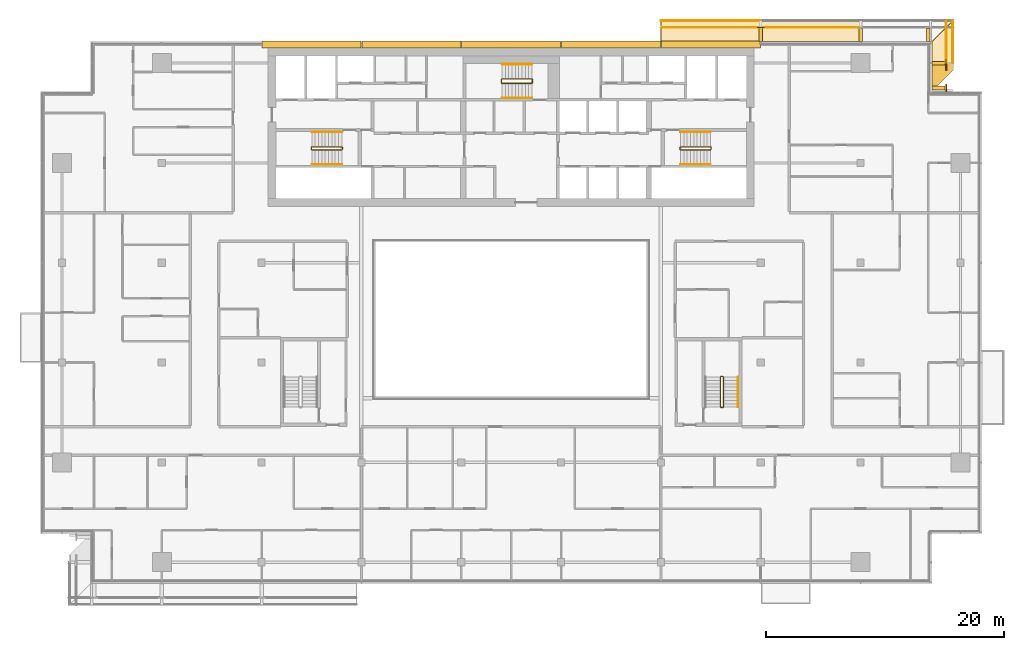
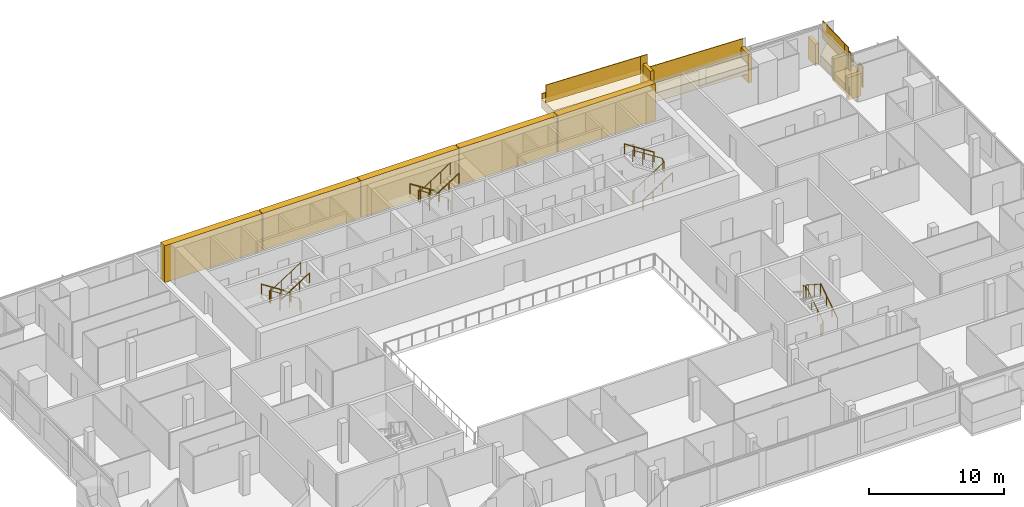
# One storey, part 26 of 29: 18 railings, 16 coverings.
"""IFC4 building model written with IfcOpenShell, lengths in metres."""

from ifc_helpers import new_model, si_unit, direction, frame, origin, origin_2d, place, context, subcontext, project, spatial, polyline, rectangle, circle, outline, extrude, material, layer, layer_set, type_object, element, save


model = new_model("IFC4")

# Units and contexts
model_context = context("Model", 3, precision=1e-05, world=origin(), true_north=direction((0.0, 1.0)))
body_context = subcontext(model_context, "Body", "Model", "MODEL_VIEW")
ifc_project = project(units=[si_unit("LENGTHUNIT", "METRE"), si_unit("AREAUNIT", "SQUARE_METRE"), si_unit("VOLUMEUNIT", "CUBIC_METRE"), si_unit("PLANEANGLEUNIT", "RADIAN"), si_unit("MASSUNIT", "GRAM", prefix="KILO")], contexts=[model_context])

# Site, building, storey
site_placement = place(None, origin())
site = spatial("IfcSite", under=ifc_project, at=site_placement, CompositionType="ELEMENT")
building_placement = place(site_placement, origin())
building = spatial("IfcBuilding", under=site, at=building_placement, Name="Saffron Gate Tower", CompositionType="ELEMENT")
storey_placement = place(building_placement, frame((0.0, 0.0, 227.10009765625)))
storey = spatial("IfcBuildingStorey", under=building, at=storey_placement, Name="L55", CompositionType="ELEMENT", Elevation=227.10009765625)

# Coverings
ifc_material_1 = material(Name="Ceramic-printed bronze insulated panel")
ifc_layer_1 = layer(ifc_material_1, 0.590087890625)
ifc_layer_set_1 = layer_set([ifc_layer_1], Name="CLD4 ceramic-printed cladding panel 590")
covering_type_1 = type_object("IfcCoveringType", Name="CLD4 ceramic-printed cladding panel 590", PredefinedType="CLADDING", material=ifc_layer_set_1)
covering_1_placement = place(storey_placement, origin())
element("IfcCovering", 1, at=covering_1_placement, inside=storey, type_object=covering_type_1, Name="CLADDING ceramic-printed panel", PredefinedType="CLADDING", context=body_context, shape_type="SweptSolid", body=[
    extrude(outline(polyline([(108.56494140625, 75.639892578125), (100.235107421875, 75.639892578125), (100.235107421875, 75.050048828125), (108.56494140625, 75.050048828125), (108.56494140625, 75.639892578125)])), origin(), (0.0, 0.0, 1.0), 3.31982421875),
])
covering_2_placement = place(storey_placement, origin())
element("IfcCovering", 2, at=covering_2_placement, inside=storey, type_object=covering_type_1, Name="CLADDING ceramic-printed panel", PredefinedType="CLADDING", context=body_context, shape_type="SweptSolid", body=[
    extrude(outline(polyline([(100.1650390625, 75.639892578125), (91.8349609375, 75.639892578125), (91.8349609375, 75.050048828125), (100.1650390625, 75.050048828125), (100.1650390625, 75.639892578125)])), origin(), (0.0, 0.0, 1.0), 3.31982421875),
])
covering_3_placement = place(storey_placement, origin())
element("IfcCovering", 3, at=covering_3_placement, inside=storey, type_object=covering_type_1, Name="CLADDING ceramic-printed panel", PredefinedType="CLADDING", context=body_context, shape_type="SweptSolid", body=[
    extrude(outline(polyline([(91.764892578125, 75.639892578125), (83.43505859375, 75.639892578125), (83.43505859375, 75.050048828125), (91.764892578125, 75.050048828125), (91.764892578125, 75.639892578125)])), origin(), (0.0, 0.0, 1.0), 3.31982421875),
])
covering_4_placement = place(storey_placement, origin())
element("IfcCovering", 4, at=covering_4_placement, inside=storey, type_object=covering_type_1, Name="CLADDING ceramic-printed panel", PredefinedType="CLADDING", context=body_context, shape_type="SweptSolid", body=[
    extrude(outline(polyline([(83.364990234375, 75.639892578125), (75.034912109375, 75.639892578125), (75.034912109375, 75.050048828125), (83.364990234375, 75.050048828125), (83.364990234375, 75.639892578125)])), origin(), (0.0, 0.0, 1.0), 3.31982421875),
])
covering_5_placement = place(storey_placement, origin())
element("IfcCovering", 5, at=covering_5_placement, inside=storey, type_object=covering_type_1, Name="CLADDING ceramic-printed panel", PredefinedType="CLADDING", context=body_context, shape_type="SweptSolid", body=[
    extrude(outline(polyline([(74.965087890625, 75.639892578125), (66.635009765625, 75.639892578125), (66.635009765625, 75.050048828125), (74.965087890625, 75.050048828125), (74.965087890625, 75.639892578125)])), origin(), (0.0, 0.0, 1.0), 3.31982421875),
])

# Railings
ifc_material_2 = material(Name="Stainless steel and laminated glass", Category="steel")
railing_type_1 = type_object("IfcRailingType", Name="CR1 Stair guard 1100", PredefinedType="GUARDRAIL", material=ifc_material_2)
railing_1_placement = place(storey_placement, frame((73.39990234375, 66.550048828125, 0.0)))
element("IfcRailing", 6, at=railing_1_placement, inside=storey, type_object=railing_type_1, Name="L55 ST-A stair guard 1", PredefinedType="GUARDRAIL", context=body_context, shape_type="SweptSolid", body=[
    extrude(circle(Radius=0.02392578125, at=origin_2d()), frame((0.0, 0.0, 1.076171875), z_axis=(0.0, 1.0, 0.0), x_axis=(-1.0, 0.0, 0.0)), (0.0, 0.0, 1.0), 0.14990234375),
    extrude(circle(Radius=0.02392578125, at=origin_2d()), frame((0.0, 0.14990234375, 1.076171875), z_axis=(-0.257669022063, 0.258932105505, 0.930892496375), x_axis=(-0.708833529934, -0.705375805398, 0.0)), (0.0, 0.0, 1.0), 0.193359375),
    extrude(circle(Radius=0.02392578125, at=origin_2d()), frame((-0.0498046875, 0.199951171875, 1.255859375), z_axis=(-0.841199657755, 0.0, 0.540724639528), x_axis=(0.0, -1.0, 0.0)), (0.0, 0.0, 1.0), 2.995849609375),
    extrude(circle(Radius=0.02392578125, at=origin_2d()), frame((-2.56982421875, 0.199951171875, 2.8759765625), z_axis=(-0.707106781187, -0.707106781187, 0.0), x_axis=(0.707106781187, -0.707106781187, 0.0)), (0.0, 0.0, 1.0), 0.07080078125),
    extrude(circle(Radius=0.02392578125, at=origin_2d()), frame((-2.619873046875, 0.14990234375, 2.8759765625), z_axis=(0.0, -1.0, 0.0), x_axis=(1.0, 0.0, 0.0)), (0.0, 0.0, 1.0), 0.14990234375),
    extrude(circle(Radius=0.02392578125, at=origin_2d()), frame((-2.619873046875, 0.0, 2.8759765625), z_axis=(0.258543844998, -0.258543844998, 0.930757841991), x_axis=(0.707106781187, 0.707106781187, 0.0)), (0.0, 0.0, 1.0), 0.193603515625),
    extrude(circle(Radius=0.02392578125, at=origin_2d()), frame((-2.56982421875, -0.050048828125, 3.05615234375), z_axis=(0.841199657755, 0.0, 0.540724639528), x_axis=(0.0, 1.0, 0.0)), (0.0, 0.0, 1.0), 2.995849609375),
    extrude(circle(Radius=0.02099609375, at=origin_2d()), origin(), (0.0, 0.0, 1.0), 1.052001953125),
    extrude(circle(Radius=0.02099609375, at=origin_2d()), frame((0.0, 0.14990234375, 0.0)), (0.0, 0.0, 1.0), 1.052001953125),
    extrude(circle(Radius=0.02099609375, at=origin_2d()), frame((-0.0498046875, 0.199951171875, 0.179931640625)), (0.0, 0.0, 1.0), 1.052001953125),
    extrude(circle(Radius=0.02099609375, at=origin_2d()), frame((-0.889892578125, 0.199951171875, 0.719970703125)), (0.0, 0.0, 1.0), 1.052001953125),
    extrude(circle(Radius=0.02099609375, at=origin_2d()), frame((-1.729736328125, 0.199951171875, 1.259765625)), (0.0, 0.0, 1.0), 1.052001953125),
    extrude(circle(Radius=0.02099609375, at=origin_2d()), frame((-2.56982421875, 0.199951171875, 1.7998046875)), (0.0, 0.0, 1.0), 1.052001953125),
    extrude(circle(Radius=0.02099609375, at=origin_2d()), frame((-2.619873046875, 0.14990234375, 1.7998046875)), (0.0, 0.0, 1.0), 1.052001953125),
    extrude(circle(Radius=0.02099609375, at=origin_2d()), frame((-2.619873046875, 0.0, 1.7998046875)), (0.0, 0.0, 1.0), 1.052001953125),
    extrude(circle(Radius=0.02099609375, at=origin_2d()), frame((-2.56982421875, -0.050048828125, 1.97998046875)), (0.0, 0.0, 1.0), 1.052001953125),
    extrude(circle(Radius=0.02099609375, at=origin_2d()), frame((-1.729736328125, -0.050048828125, 2.52001953125)), (0.0, 0.0, 1.0), 1.052001953125),
    extrude(circle(Radius=0.02099609375, at=origin_2d()), frame((-0.889892578125, -0.050048828125, 3.059814453125)), (0.0, 0.0, 1.0), 1.052001953125),
    extrude(circle(Radius=0.02099609375, at=origin_2d()), frame((-0.0498046875, -0.050048828125, 3.599853515625)), (0.0, 0.0, 1.0), 1.052001953125),
])
railing_2_placement = place(storey_placement, frame((101.800048828125, 66.699951171875, 0.0)))
element("IfcRailing", 7, at=railing_2_placement, inside=storey, type_object=railing_type_1, Name="L55 ST-B stair guard 1", PredefinedType="GUARDRAIL", context=body_context, shape_type="SweptSolid", body=[
    extrude(circle(Radius=0.02392578125, at=origin_2d()), frame((0.0, 0.0, 1.076171875), z_axis=(0.0, -1.0, 0.0), x_axis=(1.0, 0.0, 0.0)), (0.0, 0.0, 1.0), 0.14990234375),
    extrude(circle(Radius=0.02392578125, at=origin_2d()), frame((0.0, -0.14990234375, 1.076171875), z_axis=(0.258847668887, -0.258847668887, 0.930588936439), x_axis=(0.707106781187, 0.707106781187, 0.0)), (0.0, 0.0, 1.0), 0.193359375),
    extrude(circle(Radius=0.02392578125, at=origin_2d()), frame((0.050048828125, -0.199951171875, 1.255859375), z_axis=(0.841199657755, 0.0, 0.540724639528), x_axis=(0.0, 1.0, 0.0)), (0.0, 0.0, 1.0), 2.995849609375),
    extrude(circle(Radius=0.02392578125, at=origin_2d()), frame((2.570068359375, -0.199951171875, 2.8759765625), z_axis=(0.705375805398, 0.708833529934, 0.0), x_axis=(-0.708833529934, 0.705375805398, 0.0)), (0.0, 0.0, 1.0), 0.070556640625),
    extrude(circle(Radius=0.02392578125, at=origin_2d()), frame((2.619873046875, -0.14990234375, 2.8759765625), z_axis=(0.0, 1.0, 0.0), x_axis=(-1.0, 0.0, 0.0)), (0.0, 0.0, 1.0), 0.14990234375),
    extrude(circle(Radius=0.02392578125, at=origin_2d()), frame((2.619873046875, 0.0, 2.8759765625), z_axis=(-0.257366384619, 0.258627984543, 0.931060744355), x_axis=(-0.708833529934, -0.705375805398, 0.0)), (0.0, 0.0, 1.0), 0.193603515625),
    extrude(circle(Radius=0.02392578125, at=origin_2d()), frame((2.570068359375, 0.050048828125, 3.05615234375), z_axis=(-0.841199657755, 0.0, 0.540724639528), x_axis=(0.0, -1.0, 0.0)), (0.0, 0.0, 1.0), 2.995849609375),
    extrude(circle(Radius=0.02099609375, at=origin_2d()), origin(), (0.0, 0.0, 1.0), 1.052001953125),
    extrude(circle(Radius=0.02099609375, at=origin_2d()), frame((0.0, -0.14990234375, 0.0)), (0.0, 0.0, 1.0), 1.052001953125),
    extrude(circle(Radius=0.02099609375, at=origin_2d()), frame((0.050048828125, -0.199951171875, 0.179931640625)), (0.0, 0.0, 1.0), 1.052001953125),
    extrude(circle(Radius=0.02099609375, at=origin_2d()), frame((0.89013671875, -0.199951171875, 0.719970703125)), (0.0, 0.0, 1.0), 1.052001953125),
    extrude(circle(Radius=0.02099609375, at=origin_2d()), frame((1.72998046875, -0.199951171875, 1.259765625)), (0.0, 0.0, 1.0), 1.052001953125),
    extrude(circle(Radius=0.02099609375, at=origin_2d()), frame((2.570068359375, -0.199951171875, 1.7998046875)), (0.0, 0.0, 1.0), 1.052001953125),
    extrude(circle(Radius=0.02099609375, at=origin_2d()), frame((2.619873046875, -0.14990234375, 1.7998046875)), (0.0, 0.0, 1.0), 1.052001953125),
    extrude(circle(Radius=0.02099609375, at=origin_2d()), frame((2.619873046875, 0.0, 1.7998046875)), (0.0, 0.0, 1.0), 1.052001953125),
    extrude(circle(Radius=0.02099609375, at=origin_2d()), frame((2.570068359375, 0.050048828125, 1.97998046875)), (0.0, 0.0, 1.0), 1.052001953125),
    extrude(circle(Radius=0.02099609375, at=origin_2d()), frame((1.72998046875, 0.050048828125, 2.52001953125)), (0.0, 0.0, 1.0), 1.052001953125),
    extrude(circle(Radius=0.02099609375, at=origin_2d()), frame((0.89013671875, 0.050048828125, 3.059814453125)), (0.0, 0.0, 1.0), 1.052001953125),
    extrude(circle(Radius=0.02099609375, at=origin_2d()), frame((0.050048828125, 0.050048828125, 3.599853515625)), (0.0, 0.0, 1.0), 1.052001953125),
])
railing_3_placement = place(storey_placement, frame((89.39990234375, 72.14990234375, 0.0)))
element("IfcRailing", 8, at=railing_3_placement, inside=storey, type_object=railing_type_1, Name="L55 ST-C stair guard 1", PredefinedType="GUARDRAIL", context=body_context, shape_type="SweptSolid", body=[
    extrude(circle(Radius=0.02392578125, at=origin_2d()), frame((0.0, 0.0, 1.076171875), z_axis=(0.0, 1.0, 0.0), x_axis=(-1.0, 0.0, 0.0)), (0.0, 0.0, 1.0), 0.25),
    extrude(circle(Radius=0.02392578125, at=origin_2d()), frame((0.0, 0.25, 1.076171875), z_axis=(-0.257669022063, 0.258932105505, 0.930892496375), x_axis=(-0.708833529934, -0.705375805398, 0.0)), (0.0, 0.0, 1.0), 0.193359375),
    extrude(circle(Radius=0.02392578125, at=origin_2d()), frame((-0.0498046875, 0.300048828125, 1.255859375), z_axis=(-0.841199657755, 0.0, 0.540724639528), x_axis=(0.0, -1.0, 0.0)), (0.0, 0.0, 1.0), 2.995849609375),
    extrude(circle(Radius=0.02392578125, at=origin_2d()), frame((-2.56982421875, 0.300048828125, 2.8759765625), z_axis=(-0.707106781187, -0.707106781187, 0.0), x_axis=(0.707106781187, -0.707106781187, 0.0)), (0.0, 0.0, 1.0), 0.07080078125),
    extrude(circle(Radius=0.02392578125, at=origin_2d()), frame((-2.619873046875, 0.25, 2.8759765625), z_axis=(0.0, -1.0, 0.0), x_axis=(1.0, 0.0, 0.0)), (0.0, 0.0, 1.0), 0.25),
    extrude(circle(Radius=0.02392578125, at=origin_2d()), frame((-2.619873046875, 0.0, 2.8759765625), z_axis=(0.258627984543, -0.257366384619, 0.931060744355), x_axis=(0.705375805398, 0.708833529934, 0.0)), (0.0, 0.0, 1.0), 0.193603515625),
    extrude(circle(Radius=0.02392578125, at=origin_2d()), frame((-2.56982421875, -0.0498046875, 3.05615234375), z_axis=(0.841199657755, 0.0, 0.540724639528), x_axis=(0.0, 1.0, 0.0)), (0.0, 0.0, 1.0), 2.995849609375),
    extrude(circle(Radius=0.02099609375, at=origin_2d()), origin(), (0.0, 0.0, 1.0), 1.052001953125),
    extrude(circle(Radius=0.02099609375, at=origin_2d()), frame((0.0, 0.25, 0.0)), (0.0, 0.0, 1.0), 1.052001953125),
    extrude(circle(Radius=0.02099609375, at=origin_2d()), frame((-0.0498046875, 0.300048828125, 0.179931640625)), (0.0, 0.0, 1.0), 1.052001953125),
    extrude(circle(Radius=0.02099609375, at=origin_2d()), frame((-0.889892578125, 0.300048828125, 0.719970703125)), (0.0, 0.0, 1.0), 1.052001953125),
    extrude(circle(Radius=0.02099609375, at=origin_2d()), frame((-1.729736328125, 0.300048828125, 1.259765625)), (0.0, 0.0, 1.0), 1.052001953125),
    extrude(circle(Radius=0.02099609375, at=origin_2d()), frame((-2.56982421875, 0.300048828125, 1.7998046875)), (0.0, 0.0, 1.0), 1.052001953125),
    extrude(circle(Radius=0.02099609375, at=origin_2d()), frame((-2.619873046875, 0.25, 1.7998046875)), (0.0, 0.0, 1.0), 1.052001953125),
    extrude(circle(Radius=0.02099609375, at=origin_2d()), frame((-2.619873046875, 0.0, 1.7998046875)), (0.0, 0.0, 1.0), 1.052001953125),
    extrude(circle(Radius=0.02099609375, at=origin_2d()), frame((-2.56982421875, -0.0498046875, 1.97998046875)), (0.0, 0.0, 1.0), 1.052001953125),
    extrude(circle(Radius=0.02099609375, at=origin_2d()), frame((-1.729736328125, -0.0498046875, 2.52001953125)), (0.0, 0.0, 1.0), 1.052001953125),
    extrude(circle(Radius=0.02099609375, at=origin_2d()), frame((-0.889892578125, -0.0498046875, 3.059814453125)), (0.0, 0.0, 1.0), 1.052001953125),
    extrude(circle(Radius=0.02099609375, at=origin_2d()), frame((-0.0498046875, -0.0498046875, 3.599853515625)), (0.0, 0.0, 1.0), 1.052001953125),
])
railing_4_placement = place(storey_placement, frame((105.25, 44.800048828125, 0.0)))
element("IfcRailing", 9, at=railing_4_placement, inside=storey, type_object=railing_type_1, Name="L55 ST-E stair guard 1", PredefinedType="GUARDRAIL", context=body_context, shape_type="SweptSolid", body=[
    extrude(circle(Radius=0.02392578125, at=origin_2d()), frame((0.0, 0.0, 1.076171875), z_axis=(1.0, 0.0, 0.0), x_axis=(0.0, 1.0, 0.0)), (0.0, 0.0, 1.0), 0.14990234375),
    extrude(circle(Radius=0.02392578125, at=origin_2d()), frame((0.14990234375, 0.0, 1.076171875), z_axis=(0.258847668887, 0.258847668887, 0.930588936439), x_axis=(-0.707106781187, 0.707106781187, 0.0)), (0.0, 0.0, 1.0), 0.193359375),
    extrude(circle(Radius=0.02392578125, at=origin_2d()), frame((0.199951171875, 0.050048828125, 1.255859375), z_axis=(0.0, 0.841199657755, 0.540724639528), x_axis=(-1.0, 0.0, 0.0)), (0.0, 0.0, 1.0), 2.995849609375),
    extrude(circle(Radius=0.02392578125, at=origin_2d()), frame((0.199951171875, 2.570068359375, 2.8759765625), z_axis=(-0.708833529934, 0.705375805398, 0.0), x_axis=(-0.705375805398, -0.708833529934, 0.0)), (0.0, 0.0, 1.0), 0.070556640625),
    extrude(circle(Radius=0.02392578125, at=origin_2d()), frame((0.14990234375, 2.619873046875, 2.8759765625), z_axis=(-1.0, 0.0, 0.0), x_axis=(0.0, -1.0, 0.0)), (0.0, 0.0, 1.0), 0.14990234375),
    extrude(circle(Radius=0.02392578125, at=origin_2d()), frame((0.0, 2.619873046875, 2.8759765625), z_axis=(-0.258627984543, -0.257366384619, 0.931060744355), x_axis=(0.705375805398, -0.708833529934, 0.0)), (0.0, 0.0, 1.0), 0.193603515625),
    extrude(circle(Radius=0.02392578125, at=origin_2d()), frame((-0.050048828125, 2.570068359375, 3.05615234375), z_axis=(0.0, -0.841199657755, 0.540724639528), x_axis=(1.0, 0.0, 0.0)), (0.0, 0.0, 1.0), 2.995849609375),
    extrude(circle(Radius=0.02099609375, at=origin_2d()), origin(), (0.0, 0.0, 1.0), 1.052001953125),
    extrude(circle(Radius=0.02099609375, at=origin_2d()), frame((0.14990234375, 0.0, 0.0)), (0.0, 0.0, 1.0), 1.052001953125),
    extrude(circle(Radius=0.02099609375, at=origin_2d()), frame((0.199951171875, 0.050048828125, 0.179931640625)), (0.0, 0.0, 1.0), 1.052001953125),
    extrude(circle(Radius=0.02099609375, at=origin_2d()), frame((0.199951171875, 0.89013671875, 0.719970703125)), (0.0, 0.0, 1.0), 1.052001953125),
    extrude(circle(Radius=0.02099609375, at=origin_2d()), frame((0.199951171875, 1.72998046875, 1.259765625)), (0.0, 0.0, 1.0), 1.052001953125),
    extrude(circle(Radius=0.02099609375, at=origin_2d()), frame((0.199951171875, 2.570068359375, 1.7998046875)), (0.0, 0.0, 1.0), 1.052001953125),
    extrude(circle(Radius=0.02099609375, at=origin_2d()), frame((0.14990234375, 2.619873046875, 1.7998046875)), (0.0, 0.0, 1.0), 1.052001953125),
    extrude(circle(Radius=0.02099609375, at=origin_2d()), frame((0.0, 2.619873046875, 1.7998046875)), (0.0, 0.0, 1.0), 1.052001953125),
    extrude(circle(Radius=0.02099609375, at=origin_2d()), frame((-0.050048828125, 2.570068359375, 1.97998046875)), (0.0, 0.0, 1.0), 1.052001953125),
    extrude(circle(Radius=0.02099609375, at=origin_2d()), frame((-0.050048828125, 1.72998046875, 2.52001953125)), (0.0, 0.0, 1.0), 1.052001953125),
    extrude(circle(Radius=0.02099609375, at=origin_2d()), frame((-0.050048828125, 0.89013671875, 3.059814453125)), (0.0, 0.0, 1.0), 1.052001953125),
    extrude(circle(Radius=0.02099609375, at=origin_2d()), frame((-0.050048828125, 0.050048828125, 3.599853515625)), (0.0, 0.0, 1.0), 1.052001953125),
])
ifc_material_3 = material(Name="Stainless steel", Category="steel")
railing_type_2 = type_object("IfcRailingType", Name="CR2 Stair handrail 900", PredefinedType="HANDRAIL", material=ifc_material_3)
railing_5_placement = place(storey_placement, frame((73.35009765625, 68.0, 0.179931640625)))
element("IfcRailing", 10, at=railing_5_placement, inside=storey, type_object=railing_type_2, Name="L55 ST-A stair handrail 1", PredefinedType="HANDRAIL", context=body_context, shape_type="SweptSolid", body=[
    extrude(circle(Radius=0.02392578125, at=origin_2d()), frame((0.0, 0.0, 0.8759765625), z_axis=(-0.841199657755, 0.0, 0.540724639528), x_axis=(0.0, -1.0, 0.0)), (0.0, 0.0, 1.0), 2.995849609375),
    extrude(circle(Radius=0.02099609375, at=origin_2d()), origin(), (0.0, 0.0, 1.0), 0.851806640625),
    extrude(circle(Radius=0.02099609375, at=origin_2d()), frame((-0.840087890625, 0.0, 0.5400390625)), (0.0, 0.0, 1.0), 0.851806640625),
    extrude(circle(Radius=0.02099609375, at=origin_2d()), frame((-1.679931640625, 0.0, 1.079833984375)), (0.0, 0.0, 1.0), 0.851806640625),
    extrude(circle(Radius=0.02099609375, at=origin_2d()), frame((-2.52001953125, 0.0, 1.619873046875)), (0.0, 0.0, 1.0), 0.851806640625),
])
for number, where, name in (
    (11, (70.830078125, 65.25, 1.97998046875), "L55 ST-A stair handrail 2"),
    (12, (101.85009765625, 65.25, 0.179931640625), "L55 ST-B stair handrail 1"),
):
    element("IfcRailing", number, at=place(storey_placement, frame(where)), inside=storey, type_object=railing_type_2, Name=name, PredefinedType="HANDRAIL", context=body_context, shape_type="SweptSolid", body=[
        extrude(circle(Radius=0.02392578125, at=origin_2d()), frame((0.0, 0.0, 0.8759765625), z_axis=(0.841199657755, 0.0, 0.540724639528), x_axis=(0.0, 1.0, 0.0)), (0.0, 0.0, 1.0), 2.995849609375),
        extrude(circle(Radius=0.02099609375, at=origin_2d()), origin(), (0.0, 0.0, 1.0), 0.851806640625),
        extrude(circle(Radius=0.02099609375, at=origin_2d()), frame((0.840087890625, 0.0, 0.5400390625)), (0.0, 0.0, 1.0), 0.851806640625),
        extrude(circle(Radius=0.02099609375, at=origin_2d()), frame((1.679931640625, 0.0, 1.079833984375)), (0.0, 0.0, 1.0), 0.851806640625),
        extrude(circle(Radius=0.02099609375, at=origin_2d()), frame((2.52001953125, 0.0, 1.619873046875)), (0.0, 0.0, 1.0), 0.851806640625),
    ])
for number, where, name in (
    (13, (104.3701171875, 68.0, 1.97998046875), "L55 ST-B stair handrail 2"),
    (14, (89.35009765625, 73.699951171875, 0.179931640625), "L55 ST-C stair handrail 1"),
):
    element("IfcRailing", number, at=place(storey_placement, frame(where)), inside=storey, type_object=railing_type_2, Name=name, PredefinedType="HANDRAIL", context=body_context, shape_type="SweptSolid", body=[
        extrude(circle(Radius=0.02392578125, at=origin_2d()), frame((0.0, 0.0, 0.8759765625), z_axis=(-0.841199657755, 0.0, 0.540724639528), x_axis=(0.0, -1.0, 0.0)), (0.0, 0.0, 1.0), 2.995849609375),
        extrude(circle(Radius=0.02099609375, at=origin_2d()), origin(), (0.0, 0.0, 1.0), 0.851806640625),
        extrude(circle(Radius=0.02099609375, at=origin_2d()), frame((-0.840087890625, 0.0, 0.5400390625)), (0.0, 0.0, 1.0), 0.851806640625),
        extrude(circle(Radius=0.02099609375, at=origin_2d()), frame((-1.679931640625, 0.0, 1.079833984375)), (0.0, 0.0, 1.0), 0.851806640625),
        extrude(circle(Radius=0.02099609375, at=origin_2d()), frame((-2.52001953125, 0.0, 1.619873046875)), (0.0, 0.0, 1.0), 0.851806640625),
    ])
railing_6_placement = place(storey_placement, frame((86.830078125, 70.85009765625, 1.97998046875)))
element("IfcRailing", 15, at=railing_6_placement, inside=storey, type_object=railing_type_2, Name="L55 ST-C stair handrail 2", PredefinedType="HANDRAIL", context=body_context, shape_type="SweptSolid", body=[
    extrude(circle(Radius=0.02392578125, at=origin_2d()), frame((0.0, 0.0, 0.8759765625), z_axis=(0.841199657755, 0.0, 0.540724639528), x_axis=(0.0, 1.0, 0.0)), (0.0, 0.0, 1.0), 2.995849609375),
    extrude(circle(Radius=0.02099609375, at=origin_2d()), origin(), (0.0, 0.0, 1.0), 0.851806640625),
    extrude(circle(Radius=0.02099609375, at=origin_2d()), frame((0.840087890625, 0.0, 0.5400390625)), (0.0, 0.0, 1.0), 0.851806640625),
    extrude(circle(Radius=0.02099609375, at=origin_2d()), frame((1.679931640625, 0.0, 1.079833984375)), (0.0, 0.0, 1.0), 0.851806640625),
    extrude(circle(Radius=0.02099609375, at=origin_2d()), frame((2.52001953125, 0.0, 1.619873046875)), (0.0, 0.0, 1.0), 0.851806640625),
])
railing_7_placement = place(storey_placement, frame((106.699951171875, 44.85009765625, 0.179931640625)))
element("IfcRailing", 16, at=railing_7_placement, inside=storey, type_object=railing_type_2, Name="L55 ST-E stair handrail 1", PredefinedType="HANDRAIL", context=body_context, shape_type="SweptSolid", body=[
    extrude(circle(Radius=0.02392578125, at=origin_2d()), frame((0.0, 0.0, 0.8759765625), z_axis=(0.0, 0.841199657755, 0.540724639528), x_axis=(-1.0, 0.0, 0.0)), (0.0, 0.0, 1.0), 2.995849609375),
    extrude(circle(Radius=0.02099609375, at=origin_2d()), origin(), (0.0, 0.0, 1.0), 0.851806640625),
    extrude(circle(Radius=0.02099609375, at=origin_2d()), frame((0.0, 0.840087890625, 0.5400390625)), (0.0, 0.0, 1.0), 0.851806640625),
    extrude(circle(Radius=0.02099609375, at=origin_2d()), frame((0.0, 1.679931640625, 1.079833984375)), (0.0, 0.0, 1.0), 0.851806640625),
    extrude(circle(Radius=0.02099609375, at=origin_2d()), frame((0.0, 2.52001953125, 1.619873046875)), (0.0, 0.0, 1.0), 0.851806640625),
])

# Coverings
ifc_material_4 = material(Name="Timber, thermally modified ash", Category="wood")
ifc_layer_2 = layer(ifc_material_4, 0.800048828125)
ifc_layer_set_2 = layer_set([ifc_layer_2], Name="LD1 ledge timber")
covering_type_2 = type_object("IfcCoveringType", Name="LD1 ledge timber", PredefinedType="CLADDING", material=ifc_layer_set_2)
covering_6_placement = place(storey_placement, frame((123.0, 71.39990234375, 0.0078125), z_axis=(2.6333678e-05, -0.028794305201, 0.999585357683), x_axis=(5.2e-10, 0.99958535803, 0.028794305211)))
element("IfcCovering", 17, at=covering_6_placement, inside=storey, type_object=covering_type_2, Name="LEDGE", PredefinedType="CLADDING", context=body_context, shape_type="SweptSolid", body=[
    extrude(outline(polyline([(0.0, 0.0), (2.401140733194568, 0.0), (2.4011407341303483, -1.8000488275008664), (1.8007927835182762, -1.8000488290612322), (0.0, 0.0)])), origin(), (0.0, 0.0, -1.0), 0.800048828125),
])
covering_7_placement = place(storey_placement, frame((123.0, 73.800048828125, 0.419921875), z_axis=(-1.29947e-06, -0.028742979799, 0.999586835203), x_axis=(-2e-12, 0.999586835204, 0.028742979799)))
element("IfcCovering", 18, at=covering_7_placement, inside=storey, type_object=covering_type_2, Name="LEDGE", PredefinedType="CLADDING", context=body_context, shape_type="SweptSolid", body=[
    extrude(outline(polyline([(0.0, 0.0), (1.8007927850764784, 0.0), (3.60134153039523, -1.8000488281325986), (-3.03834742109669e-12, -1.8000488281234803), (0.0, 0.0)])), origin(), (0.0, 0.0, -1.0), 0.800048828125),
])
covering_8_placement = place(storey_placement, frame((117.0, 75.60009765625, 1.75927734375), z_axis=(0.028791175352, 0.0, 0.999585448184), x_axis=(-0.999585448184, 0.0, 0.028791175352)))
element("IfcCovering", 19, at=covering_8_placement, inside=storey, type_object=covering_type_2, Name="LEDGE", PredefinedType="CLADDING", context=body_context, shape_type="SweptSolid", body=[
    extrude(outline(polyline([(0.0, 0.0), (8.403385982666892, 0.0), (8.403385982666892, -1.7998046875), (0.0, -1.7998046875), (0.0, 0.0)])), origin(), (0.0, 0.0, -1.0), 0.800048828125),
])
covering_9_placement = place(storey_placement, frame((108.60009765625, 75.60009765625, 3.201416015625), z_axis=(0.028790339263, 0.0, 0.999585472266), x_axis=(-0.999585472266, 0.0, 0.028790339263)))
element("IfcCovering", 20, at=covering_9_placement, inside=storey, type_object=covering_type_2, Name="LEDGE", PredefinedType="CLADDING", context=body_context, shape_type="SweptSolid", body=[
    extrude(outline(polyline([(0.0, 0.0), (8.403630022085892, 0.0), (8.403630022085892, -1.7998046875), (0.0, -1.7998046875), (0.0, 0.0)])), origin(), (0.0, 0.0, -1.0), 0.800048828125),
])
ifc_layer_3 = layer(ifc_material_4, 0.080078125)
ifc_layer_set_3 = layer_set([ifc_layer_3], Name="LD2 ledge planter trough")
covering_type_3 = type_object("IfcCoveringType", Name="LD2 ledge planter trough", PredefinedType="CLADDING", material=ifc_layer_set_3)
covering_10_placement = place(storey_placement, frame((124.800048828125, 73.800048828125, 0.419921875), z_axis=(1.0, 0.0, 0.0), x_axis=(0.0, 0.999586816534, 0.028743629041)))
element("IfcCovering", 21, at=covering_10_placement, inside=storey, type_object=covering_type_3, Name="LEDGE planter trough", PredefinedType="CLADDING", context=body_context, shape_type="SweptSolid", body=[
    extrude(outline(polyline([(0.0, 0.0), (3.6013415303990284, 0.0), (3.615713344919565, 0.4997934082672433), (0.01437181452053653, 0.4997934082672433), (0.0, 0.0)])), origin(), (0.0, 0.0, -1.0), 0.080078125),
])
covering_11_placement = place(storey_placement, frame((108.60009765625, 77.39990234375, 3.201416015625), z_axis=(0.0, 1.0, 0.0), x_axis=(-0.999585472266, 0.0, 0.028790339263)))
element("IfcCovering", 22, at=covering_11_placement, inside=storey, type_object=covering_type_3, Name="LEDGE planter trough", PredefinedType="CLADDING", context=body_context, shape_type="SweptSolid", body=[
    extrude(outline(polyline([(0.0, 0.0), (8.403630022085892, 0.0), (8.418025191717298, 0.4997927361329725), (0.014395169631405694, 0.4997927361329725), (0.0, 0.0)])), origin(), (0.0, 0.0, -1.0), 0.080078125),
])
ifc_layer_4 = layer(ifc_material_4, 0.300048828125)
ifc_layer_set_4 = layer_set([ifc_layer_4], Name="LD3 ledge riser fin")
covering_type_4 = type_object("IfcCoveringType", Name="LD3 ledge riser fin", PredefinedType="CLADDING", material=ifc_layer_set_4)
for number, where, z_axis, x_axis, name in (
    (23, (123.56005859375, 71.699951171875, -1.13525390625), (0.0, 0.0, 1.0), (0.0, 1.0, 0.0), "LEDGE riser fin"),
    (24, (123.56005859375, 73.800048828125, -0.72314453125), (0.0, 0.0, 1.0), (0.0, 1.0, 0.0), "LEDGE riser fin"),
):
    element("IfcCovering", number, at=place(storey_placement, frame(where, z_axis=z_axis, x_axis=x_axis)), inside=storey, type_object=covering_type_4, Name=name, PredefinedType="CLADDING", context=body_context, shape_type="SweptSolid", body=[
        extrude(rectangle(XDim=0.300048828125, YDim=1.1201171875, at=origin_2d()), origin(), (0.0, 0.0, 1.0), 2.04296875),
    ])
covering_12_placement = place(storey_placement, frame((122.699951171875, 76.159912109375, -0.328125), z_axis=(0.0, 0.0, 1.0), x_axis=(-1.0, 0.0, 0.0)))
element("IfcCovering", 25, at=covering_12_placement, inside=storey, type_object=covering_type_4, Name="LEDGE riser fin", PredefinedType="CLADDING", context=body_context, shape_type="SweptSolid", body=[
    extrude(rectangle(XDim=0.300048828125, YDim=1.1201171875, at=origin_2d()), origin(), (0.0, 0.0, 1.0), 1.957275390625),
])
covering_13_placement = place(storey_placement, frame((117.0, 76.159912109375, 0.1015625), z_axis=(0.0, 0.0, 1.0), x_axis=(-1.0, 0.0, 0.0)))
element("IfcCovering", 26, at=covering_13_placement, inside=storey, type_object=covering_type_4, Name="LEDGE riser fin", PredefinedType="CLADDING", context=body_context, shape_type="SweptSolid", body=[
    extrude(rectangle(XDim=0.300048828125, YDim=1.1201171875, at=origin_2d()), origin(), (0.0, 0.0, 1.0), 2.557373046875),
])
covering_14_placement = place(storey_placement, frame((108.60009765625, 76.159912109375, 1.201171875), z_axis=(0.0, 0.0, 1.0), x_axis=(-1.0, 0.0, 0.0)))
element("IfcCovering", 27, at=covering_14_placement, inside=storey, type_object=covering_type_4, Name="LEDGE riser fin", PredefinedType="CLADDING", context=body_context, shape_type="SweptSolid", body=[
    extrude(rectangle(XDim=0.300048828125, YDim=1.1201171875, at=origin_2d()), origin(), (0.0, 0.0, 1.0), 2.900390625),
])

# Railings
railing_type_3 = type_object("IfcRailingType", Name="LG1 ledge balustrade", PredefinedType="BALUSTRADE", material=ifc_material_4)
railing_8_placement = place(storey_placement, frame((124.199951171875, 73.199951171875, 0.0595703125)))
element("IfcRailing", 28, at=railing_8_placement, inside=storey, type_object=railing_type_3, Name="LEDGE BALUSTRADE", PredefinedType="BALUSTRADE", context=body_context, shape_type="SweptSolid", body=[
    extrude(rectangle(XDim=0.06005859375, YDim=1.60009765625, at=origin_2d()), frame((0.0, 0.0, 0.800048828125), z_axis=(0.0, 0.999583081391, 0.028873229772), x_axis=(-1.0, 0.0, 0.0)), (0.0, 0.0, 1.0), 0.600341796875),
])
railing_9_placement = place(storey_placement, frame((124.199951171875, 71.39990234375, -0.335205078125)))
element("IfcRailing", 29, at=railing_9_placement, inside=storey, type_object=railing_type_3, Name="LEDGE BALUSTRADE", PredefinedType="BALUSTRADE", context=body_context, shape_type="SweptSolid", body=[
    extrude(rectangle(XDim=0.06005859375, YDim=1.943115234375, at=origin_2d()), frame((0.0, 0.0, 0.9716796875), z_axis=(0.0, 1.0, 0.0), x_axis=(-1.0, 0.0, 0.0)), (0.0, 0.0, 1.0), 0.60009765625),
])
railing_10_placement = place(storey_placement, frame((124.199951171875, 73.800048828125, 0.419921875)))
element("IfcRailing", 30, at=railing_10_placement, inside=storey, type_object=railing_type_3, Name="LEDGE BALUSTRADE", PredefinedType="BALUSTRADE", context=body_context, shape_type="SweptSolid", body=[
    extrude(rectangle(XDim=0.06005859375, YDim=1.60009765625, at=origin_2d()), frame((0.0, 0.0, 0.800048828125), z_axis=(0.0, 0.999586816534, 0.028743629041), x_axis=(-1.0, 0.0, 0.0)), (0.0, 0.0, 1.0), 3.601318359375),
])
railing_11_placement = place(storey_placement, frame((124.199951171875, 73.5, 0.076904296875)))
element("IfcRailing", 31, at=railing_11_placement, inside=storey, type_object=railing_type_3, Name="LEDGE BALUSTRADE", PredefinedType="BALUSTRADE", context=body_context, shape_type="SweptSolid", body=[
    extrude(rectangle(XDim=0.06005859375, YDim=1.943115234375, at=origin_2d()), frame((0.0, 0.0, 0.9716796875), z_axis=(0.0, 1.0, 0.0), x_axis=(-1.0, 0.0, 0.0)), (0.0, 0.0, 1.0), 0.60009765625),
])
railing_12_placement = place(storey_placement, frame((117.0, 76.800048828125, 1.75927734375)))
element("IfcRailing", 32, at=railing_12_placement, inside=storey, type_object=railing_type_3, Name="LEDGE BALUSTRADE", PredefinedType="BALUSTRADE", context=body_context, shape_type="SweptSolid", body=[
    extrude(rectangle(XDim=0.06005859375, YDim=1.60009765625, at=origin_2d()), frame((0.0, 0.0, 0.800048828125), z_axis=(-0.999585448184, 0.0, 0.028791175352), x_axis=(0.0, -1.0, 0.0)), (0.0, 0.0, 1.0), 8.4033203125),
])
railing_13_placement = place(storey_placement, frame((108.60009765625, 76.800048828125, 3.201416015625)))
element("IfcRailing", 33, at=railing_13_placement, inside=storey, type_object=railing_type_3, Name="LEDGE BALUSTRADE", PredefinedType="BALUSTRADE", context=body_context, shape_type="SweptSolid", body=[
    extrude(rectangle(XDim=0.06005859375, YDim=1.60009765625, at=origin_2d()), frame((0.0, 0.0, 0.800048828125), z_axis=(-0.999585472266, 0.0, 0.028790339263), x_axis=(0.0, -1.0, 0.0)), (0.0, 0.0, 1.0), 8.403564453125),
])
railing_14_placement = place(storey_placement, frame((108.89990234375, 76.800048828125, 2.001220703125)))
element("IfcRailing", 34, at=railing_14_placement, inside=storey, type_object=railing_type_3, Name="LEDGE BALUSTRADE", PredefinedType="BALUSTRADE", context=body_context, shape_type="SweptSolid", body=[
    extrude(rectangle(XDim=0.06005859375, YDim=2.80029296875, at=origin_2d()), frame((0.0, 0.0, 1.400146484375), z_axis=(-1.0, 0.0, 0.0), x_axis=(0.0, -1.0, 0.0)), (0.0, 0.0, 1.0), 0.599853515625),
])

save(model, "model.ifc")
